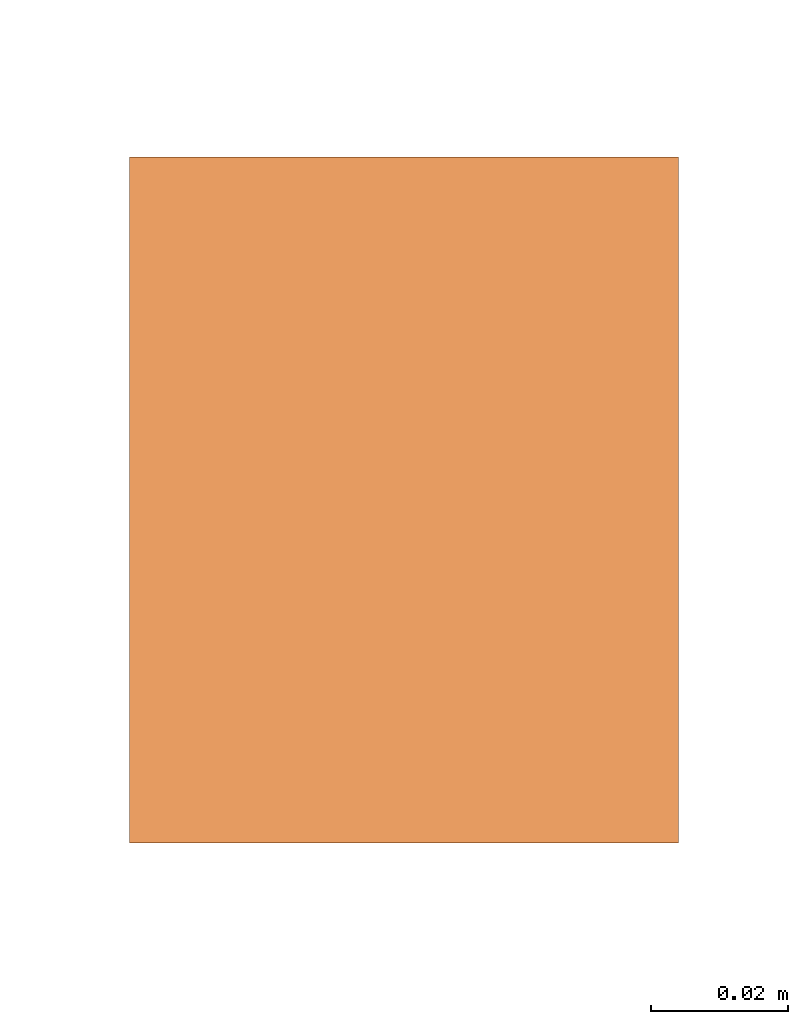
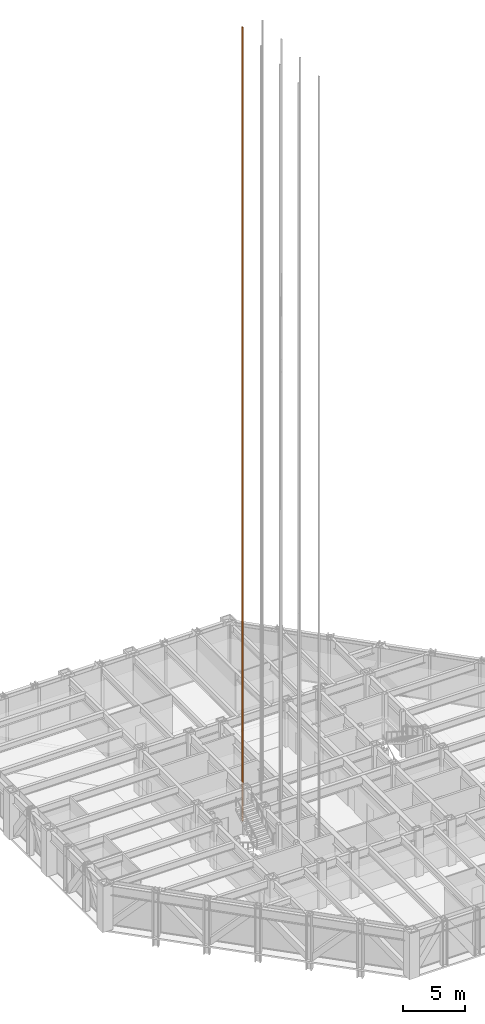
# One storey, part 25 of 26: 1 proxy.
"""IFC4 building model written with IfcOpenShell, lengths in metres."""

from ifc_helpers import new_model, si_unit, direction, frame, origin, origin_2d, place, context, subcontext, project, spatial, rectangle, extrude, material, type_object, element, save


model = new_model("IFC4")

# Units and contexts
model_context = context("Model", 3, precision=1e-05, world=origin(), true_north=direction((0.0, 1.0)))
body_context = subcontext(model_context, "Body", "Model", "MODEL_VIEW")
ifc_project = project(units=[si_unit("LENGTHUNIT", "METRE"), si_unit("AREAUNIT", "SQUARE_METRE"), si_unit("VOLUMEUNIT", "CUBIC_METRE"), si_unit("PLANEANGLEUNIT", "RADIAN"), si_unit("MASSUNIT", "GRAM", prefix="KILO")], contexts=[model_context])

# Site, building, storey
site_placement = place(None, origin())
site = spatial("IfcSite", under=ifc_project, at=site_placement, CompositionType="ELEMENT")
building_placement = place(site_placement, origin())
building = spatial("IfcBuilding", under=site, at=building_placement, Name="Chuquiago Exchange Tower", CompositionType="ELEMENT")
storey_placement = place(building_placement, frame((0.0, 0.0, 102.300048828125)))
storey = spatial("IfcBuildingStorey", under=building, at=storey_placement, Name="L21", CompositionType="ELEMENT", Elevation=102.300048828125)

# Proxy
ifc_material = material(Name="Galvanised steel guide rail", Category="steel")
building_element_proxy_type = type_object("IfcBuildingElementProxyType", Name="LR lift guide rail", PredefinedType="NOTDEFINED", material=ifc_material)
proxy_placement = place(storey_placement, frame((17.06494140625, 25.5, 0.0), z_axis=(0.0, 0.0, 1.0), x_axis=(1.0, 0.0, 0.0)))
element("IfcBuildingElementProxy", 1, at=proxy_placement, inside=storey, type_object=building_element_proxy_type, Name="Lift LB4 guide rail W", PredefinedType="NOTDEFINED", context=body_context, shape_type="SweptSolid", body=[
    extrude(rectangle(XDim=0.080078125, YDim=0.10009765625, at=origin_2d()), origin(), (0.0, 0.0, 1.0), 77.699951171875),
])

save(model, "model.ifc")
